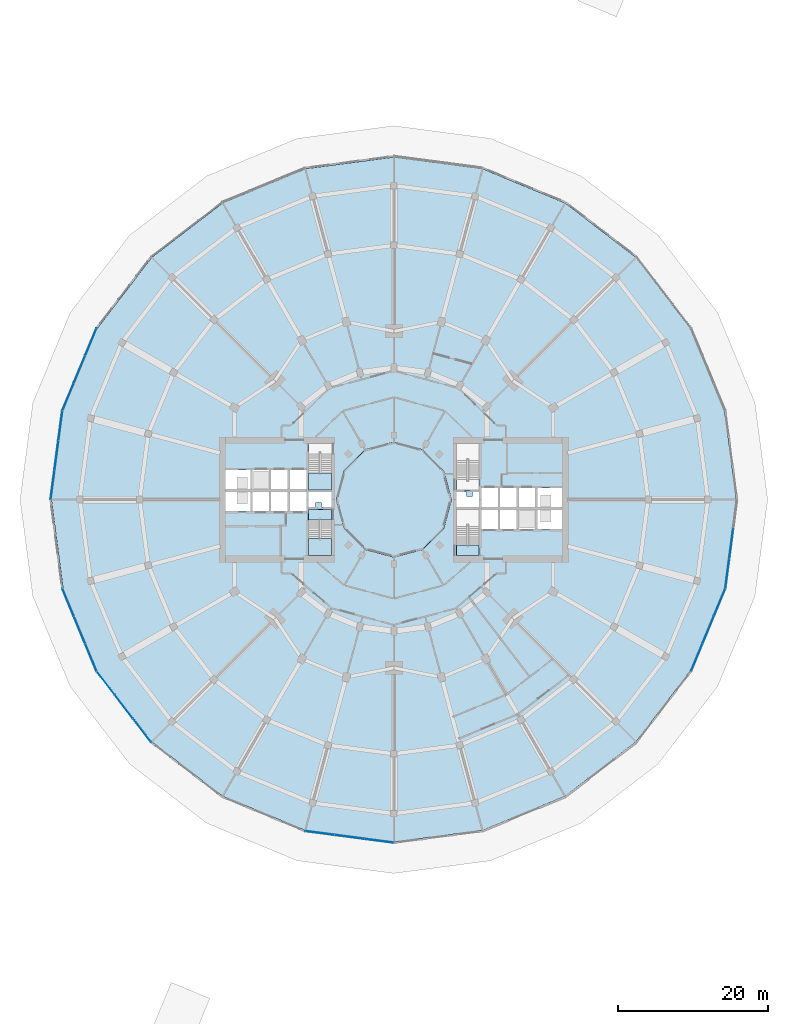
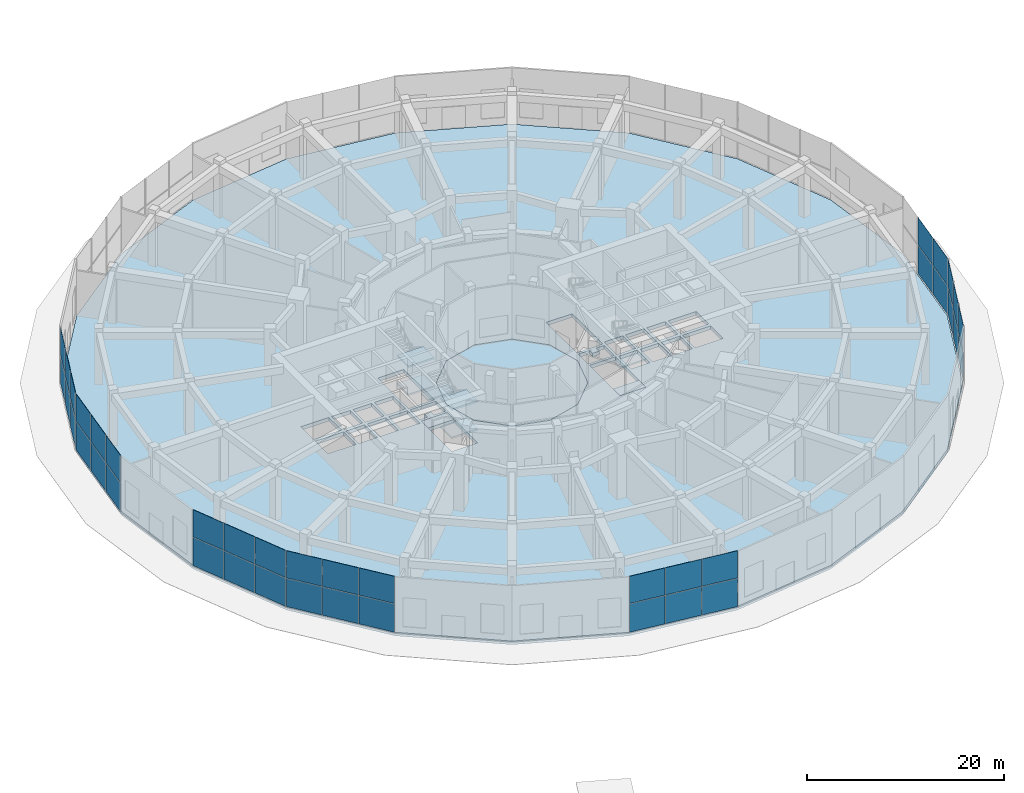
# One storey, part 20 of 31: 40 plates, 10 slabs, 10 elements without a shape of their own.
"""IFC4 building model written with IfcOpenShell, lengths in metres."""

from ifc_helpers import new_model, si_unit, direction, frame, origin, origin_2d, place, context, subcontext, project, spatial, polyline, rectangle, outline, extrude, material, layer, layer_set, type_object, element, aggregate, save


model = new_model("IFC4")

# Units and contexts
model_context = context("Model", 3, precision=1e-05, world=origin(), true_north=direction((0.0, 1.0)))
body_context = subcontext(model_context, "Body", "Model", "MODEL_VIEW")
ifc_project = project(units=[si_unit("LENGTHUNIT", "METRE"), si_unit("AREAUNIT", "SQUARE_METRE"), si_unit("VOLUMEUNIT", "CUBIC_METRE"), si_unit("PLANEANGLEUNIT", "RADIAN"), si_unit("MASSUNIT", "GRAM", prefix="KILO")], contexts=[model_context])

# Site, building, storey
site_placement = place(None, origin())
site = spatial("IfcSite", under=ifc_project, at=site_placement, CompositionType="ELEMENT")
building_placement = place(site_placement, origin())
building = spatial("IfcBuilding", under=site, at=building_placement, Name="Torre Brocal", CompositionType="ELEMENT")
storey_placement = place(building_placement, origin())
storey = spatial("IfcBuildingStorey", under=building, at=storey_placement, Name="L00", CompositionType="ELEMENT", Elevation=0.0)

# Curtain wall, plates
ifc_material_1 = material(Name="Aluminium and glass", Category="aluminium")
ifc_layer_1 = layer(ifc_material_1, 0.199951171875)
ifc_layer_set_1 = layer_set([ifc_layer_1], Name="Aluminium and glass")
curtain_wall_type = type_object("IfcCurtainWallType", Name="CW-3 CURTAIN WALL 7000 HIGH", PredefinedType="NOTDEFINED", material=ifc_layer_set_1)
curtain_wall_1_placement = place(storey_placement, origin())
curtain_wall_1 = element("IfcCurtainWall", 1, at=curtain_wall_1_placement, inside=storey, type_object=curtain_wall_type, Name="CW-3 RUN 11", PredefinedType="NOTDEFINED")
ifc_material_2 = material(Name="Glass, dark tinted laminated", Category="glass")
ifc_layer_2 = layer(ifc_material_2, 0.02392578125)
ifc_layer_set_2 = layer_set([ifc_layer_2], Name="Glass, dark tinted laminated")
plate_type = type_object("IfcPlateType", Name="CW-3 GLASS PANEL 24", PredefinedType="CURTAIN_PANEL", material=ifc_layer_set_2)
plate_1_placement = place(storey_placement, frame((39.481201171875, 96.093017578125, 0.06005859375), z_axis=(0.0, 0.0, 1.0), x_axis=(-0.382683432333, -0.923879532525, 0.0)))
plate_1 = element("IfcPlate", 2, at=plate_1_placement, type_object=plate_type, Name="CW3-1 panel 1.1", PredefinedType="CURTAIN_PANEL", context=body_context, shape_type="SweptSolid", body=[
    extrude(rectangle(XDim=3.9189453125, YDim=0.02392578125, at=origin_2d()), origin(), (0.0, 0.0, 1.0), 3.510009765625),
])
plate_2_placement = place(storey_placement, frame((39.481201171875, 96.093017578125, 3.6298828125), z_axis=(0.0, 0.0, 1.0), x_axis=(-0.382683432333, -0.923879532525, 0.0)))
plate_2 = element("IfcPlate", 3, at=plate_2_placement, type_object=plate_type, Name="CW3-1 panel 1.2", PredefinedType="CURTAIN_PANEL", context=body_context, shape_type="SweptSolid", body=[
    extrude(rectangle(XDim=3.9189453125, YDim=0.02392578125, at=origin_2d()), origin(), (0.0, 0.0, 1.0), 3.3701171875),
])
plate_3_placement = place(storey_placement, frame((37.95751953125, 92.41455078125, 0.06005859375), z_axis=(0.0, 0.0, 1.0), x_axis=(-0.382683432333, -0.923879532525, 0.0)))
plate_3 = element("IfcPlate", 4, at=plate_3_placement, type_object=plate_type, Name="CW3-1 panel 2.1", PredefinedType="CURTAIN_PANEL", context=body_context, shape_type="SweptSolid", body=[
    extrude(rectangle(XDim=3.944091796875, YDim=0.02392578125, at=origin_2d()), origin(), (0.0, 0.0, 1.0), 3.510009765625),
])
plate_4_placement = place(storey_placement, frame((37.95751953125, 92.41455078125, 3.6298828125), z_axis=(0.0, 0.0, 1.0), x_axis=(-0.382683432333, -0.923879532525, 0.0)))
plate_4 = element("IfcPlate", 5, at=plate_4_placement, type_object=plate_type, Name="CW3-1 panel 2.2", PredefinedType="CURTAIN_PANEL", context=body_context, shape_type="SweptSolid", body=[
    extrude(rectangle(XDim=3.944091796875, YDim=0.02392578125, at=origin_2d()), origin(), (0.0, 0.0, 1.0), 3.3701171875),
])
plate_5_placement = place(storey_placement, frame((36.433837890625, 88.736083984375, 0.06005859375), z_axis=(0.0, 0.0, 1.0), x_axis=(-0.382683432333, -0.923879532525, 0.0)))
plate_5 = element("IfcPlate", 6, at=plate_5_placement, type_object=plate_type, Name="CW3-1 panel 3.1", PredefinedType="CURTAIN_PANEL", context=body_context, shape_type="SweptSolid", body=[
    extrude(rectangle(XDim=3.9189453125, YDim=0.02392578125, at=origin_2d()), origin(), (0.0, 0.0, 1.0), 3.510009765625),
])
plate_6_placement = place(storey_placement, frame((36.433837890625, 88.736083984375, 3.6298828125), z_axis=(0.0, 0.0, 1.0), x_axis=(-0.382683432333, -0.923879532525, 0.0)))
plate_6 = element("IfcPlate", 7, at=plate_6_placement, type_object=plate_type, Name="CW3-1 panel 3.2", PredefinedType="CURTAIN_PANEL", context=body_context, shape_type="SweptSolid", body=[
    extrude(rectangle(XDim=3.9189453125, YDim=0.02392578125, at=origin_2d()), origin(), (0.0, 0.0, 1.0), 3.3701171875),
])
aggregate(curtain_wall_1, [plate_1, plate_2, plate_3, plate_4, plate_5, plate_6])

curtain_wall_2_placement = place(storey_placement, origin())
curtain_wall_2 = element("IfcCurtainWall", 8, at=curtain_wall_2_placement, inside=storey, type_object=curtain_wall_type, Name="CW-3 RUN 12", PredefinedType="NOTDEFINED")
plate_7_placement = place(storey_placement, frame((35.402587890625, 84.88720703125, 0.06005859375), z_axis=(0.0, 0.0, 1.0), x_axis=(-0.130526192237, -0.991444861372, 0.0)))
plate_7 = element("IfcPlate", 9, at=plate_7_placement, type_object=plate_type, Name="CW3-1 panel 1.1", PredefinedType="CURTAIN_PANEL", context=body_context, shape_type="SweptSolid", body=[
    extrude(rectangle(XDim=3.9189453125, YDim=0.02392578125, at=origin_2d()), origin(), (0.0, 0.0, 1.0), 3.510009765625),
])
plate_8_placement = place(storey_placement, frame((35.402587890625, 84.88720703125, 3.6298828125), z_axis=(0.0, 0.0, 1.0), x_axis=(-0.130526192237, -0.991444861372, 0.0)))
plate_8 = element("IfcPlate", 10, at=plate_8_placement, type_object=plate_type, Name="CW3-1 panel 1.2", PredefinedType="CURTAIN_PANEL", context=body_context, shape_type="SweptSolid", body=[
    extrude(rectangle(XDim=3.9189453125, YDim=0.02392578125, at=origin_2d()), origin(), (0.0, 0.0, 1.0), 3.3701171875),
])
plate_9_placement = place(storey_placement, frame((34.8828125, 80.939697265625, 0.06005859375), z_axis=(0.0, 0.0, 1.0), x_axis=(-0.130526192237, -0.991444861372, 0.0)))
plate_9 = element("IfcPlate", 11, at=plate_9_placement, type_object=plate_type, Name="CW3-1 panel 2.1", PredefinedType="CURTAIN_PANEL", context=body_context, shape_type="SweptSolid", body=[
    extrude(rectangle(XDim=3.944091796875, YDim=0.02392578125, at=origin_2d()), origin(), (0.0, 0.0, 1.0), 3.510009765625),
])
plate_10_placement = place(storey_placement, frame((34.8828125, 80.939697265625, 3.6298828125), z_axis=(0.0, 0.0, 1.0), x_axis=(-0.130526192237, -0.991444861372, 0.0)))
plate_10 = element("IfcPlate", 12, at=plate_10_placement, type_object=plate_type, Name="CW3-1 panel 2.2", PredefinedType="CURTAIN_PANEL", context=body_context, shape_type="SweptSolid", body=[
    extrude(rectangle(XDim=3.944091796875, YDim=0.02392578125, at=origin_2d()), origin(), (0.0, 0.0, 1.0), 3.3701171875),
])
plate_11_placement = place(storey_placement, frame((34.363037109375, 76.992431640625, 0.06005859375), z_axis=(0.0, 0.0, 1.0), x_axis=(-0.130526192237, -0.991444861372, 0.0)))
plate_11 = element("IfcPlate", 13, at=plate_11_placement, type_object=plate_type, Name="CW3-1 panel 3.1", PredefinedType="CURTAIN_PANEL", context=body_context, shape_type="SweptSolid", body=[
    extrude(rectangle(XDim=3.9189453125, YDim=0.02392578125, at=origin_2d()), origin(), (0.0, 0.0, 1.0), 3.510009765625),
])
plate_12_placement = place(storey_placement, frame((34.363037109375, 76.992431640625, 3.6298828125), z_axis=(0.0, 0.0, 1.0), x_axis=(-0.130526192237, -0.991444861372, 0.0)))
plate_12 = element("IfcPlate", 14, at=plate_12_placement, type_object=plate_type, Name="CW3-1 panel 3.2", PredefinedType="CURTAIN_PANEL", context=body_context, shape_type="SweptSolid", body=[
    extrude(rectangle(XDim=3.9189453125, YDim=0.02392578125, at=origin_2d()), origin(), (0.0, 0.0, 1.0), 3.3701171875),
])
aggregate(curtain_wall_2, [plate_7, plate_8, plate_9, plate_10, plate_11, plate_12])

curtain_wall_3_placement = place(storey_placement, origin())
curtain_wall_3 = element("IfcCurtainWall", 15, at=curtain_wall_3_placement, inside=storey, type_object=curtain_wall_type, Name="CW-3 RUN 14", PredefinedType="NOTDEFINED")
plate_13_placement = place(storey_placement, frame((36.433837890625, 61.263916015625, 0.06005859375), z_axis=(0.0, 0.0, 1.0), x_axis=(0.382683432333, -0.923879532525, 0.0)))
plate_13 = element("IfcPlate", 16, at=plate_13_placement, type_object=plate_type, Name="CW3-1 panel 1.1", PredefinedType="CURTAIN_PANEL", context=body_context, shape_type="SweptSolid", body=[
    extrude(rectangle(XDim=3.9189453125, YDim=0.02392578125, at=origin_2d()), origin(), (0.0, 0.0, 1.0), 3.510009765625),
])
plate_14_placement = place(storey_placement, frame((36.433837890625, 61.263916015625, 3.6298828125), z_axis=(0.0, 0.0, 1.0), x_axis=(0.382683432333, -0.923879532525, 0.0)))
plate_14 = element("IfcPlate", 17, at=plate_14_placement, type_object=plate_type, Name="CW3-1 panel 1.2", PredefinedType="CURTAIN_PANEL", context=body_context, shape_type="SweptSolid", body=[
    extrude(rectangle(XDim=3.9189453125, YDim=0.02392578125, at=origin_2d()), origin(), (0.0, 0.0, 1.0), 3.3701171875),
])
plate_15_placement = place(storey_placement, frame((37.95751953125, 57.58544921875, 0.06005859375), z_axis=(0.0, 0.0, 1.0), x_axis=(0.382683432333, -0.923879532525, 0.0)))
plate_15 = element("IfcPlate", 18, at=plate_15_placement, type_object=plate_type, Name="CW3-1 panel 2.1", PredefinedType="CURTAIN_PANEL", context=body_context, shape_type="SweptSolid", body=[
    extrude(rectangle(XDim=3.944091796875, YDim=0.02392578125, at=origin_2d()), origin(), (0.0, 0.0, 1.0), 3.510009765625),
])
plate_16_placement = place(storey_placement, frame((37.95751953125, 57.58544921875, 3.6298828125), z_axis=(0.0, 0.0, 1.0), x_axis=(0.382683432333, -0.923879532525, 0.0)))
plate_16 = element("IfcPlate", 19, at=plate_16_placement, type_object=plate_type, Name="CW3-1 panel 2.2", PredefinedType="CURTAIN_PANEL", context=body_context, shape_type="SweptSolid", body=[
    extrude(rectangle(XDim=3.944091796875, YDim=0.02392578125, at=origin_2d()), origin(), (0.0, 0.0, 1.0), 3.3701171875),
])
plate_17_placement = place(storey_placement, frame((39.481201171875, 53.906982421875, 0.06005859375), z_axis=(0.0, 0.0, 1.0), x_axis=(0.382683432333, -0.923879532525, 0.0)))
plate_17 = element("IfcPlate", 20, at=plate_17_placement, type_object=plate_type, Name="CW3-1 panel 3.1", PredefinedType="CURTAIN_PANEL", context=body_context, shape_type="SweptSolid", body=[
    extrude(rectangle(XDim=3.9189453125, YDim=0.02392578125, at=origin_2d()), origin(), (0.0, 0.0, 1.0), 3.510009765625),
])
plate_18_placement = place(storey_placement, frame((39.481201171875, 53.906982421875, 3.6298828125), z_axis=(0.0, 0.0, 1.0), x_axis=(0.382683432333, -0.923879532525, 0.0)))
plate_18 = element("IfcPlate", 21, at=plate_18_placement, type_object=plate_type, Name="CW3-1 panel 3.2", PredefinedType="CURTAIN_PANEL", context=body_context, shape_type="SweptSolid", body=[
    extrude(rectangle(XDim=3.9189453125, YDim=0.02392578125, at=origin_2d()), origin(), (0.0, 0.0, 1.0), 3.3701171875),
])
aggregate(curtain_wall_3, [plate_13, plate_14, plate_15, plate_16, plate_17, plate_18])

curtain_wall_4_placement = place(storey_placement, origin())
curtain_wall_4 = element("IfcCurtainWall", 22, at=curtain_wall_4_placement, inside=storey, type_object=curtain_wall_type, Name="CW-3 RUN 15", PredefinedType="NOTDEFINED")
plate_19_placement = place(storey_placement, frame((41.473388671875, 50.456298828125, 0.06005859375), z_axis=(0.0, 0.0, 1.0), x_axis=(0.608761429009, -0.793353340291, 0.0)))
plate_19 = element("IfcPlate", 23, at=plate_19_placement, type_object=plate_type, Name="CW3-1 panel 1.1", PredefinedType="CURTAIN_PANEL", context=body_context, shape_type="SweptSolid", body=[
    extrude(rectangle(XDim=3.9189453125, YDim=0.02392578125, at=origin_2d()), origin(), (0.0, 0.0, 1.0), 3.510009765625),
])
plate_20_placement = place(storey_placement, frame((41.473388671875, 50.456298828125, 3.6298828125), z_axis=(0.0, 0.0, 1.0), x_axis=(0.608761429009, -0.793353340291, 0.0)))
plate_20 = element("IfcPlate", 24, at=plate_20_placement, type_object=plate_type, Name="CW3-1 panel 1.2", PredefinedType="CURTAIN_PANEL", context=body_context, shape_type="SweptSolid", body=[
    extrude(rectangle(XDim=3.9189453125, YDim=0.02392578125, at=origin_2d()), origin(), (0.0, 0.0, 1.0), 3.3701171875),
])
plate_21_placement = place(storey_placement, frame((43.897216796875, 47.29736328125, 0.06005859375), z_axis=(0.0, 0.0, 1.0), x_axis=(0.608761429009, -0.793353340291, 0.0)))
plate_21 = element("IfcPlate", 25, at=plate_21_placement, type_object=plate_type, Name="CW3-1 panel 2.1", PredefinedType="CURTAIN_PANEL", context=body_context, shape_type="SweptSolid", body=[
    extrude(rectangle(XDim=3.944091796875, YDim=0.02392578125, at=origin_2d()), origin(), (0.0, 0.0, 1.0), 3.510009765625),
])
plate_22_placement = place(storey_placement, frame((43.897216796875, 47.29736328125, 3.6298828125), z_axis=(0.0, 0.0, 1.0), x_axis=(0.608761429009, -0.793353340291, 0.0)))
plate_22 = element("IfcPlate", 26, at=plate_22_placement, type_object=plate_type, Name="CW3-1 panel 2.2", PredefinedType="CURTAIN_PANEL", context=body_context, shape_type="SweptSolid", body=[
    extrude(rectangle(XDim=3.944091796875, YDim=0.02392578125, at=origin_2d()), origin(), (0.0, 0.0, 1.0), 3.3701171875),
])
plate_23_placement = place(storey_placement, frame((46.321044921875, 44.138671875, 0.06005859375), z_axis=(0.0, 0.0, 1.0), x_axis=(0.608761429009, -0.793353340291, 0.0)))
plate_23 = element("IfcPlate", 27, at=plate_23_placement, type_object=plate_type, Name="CW3-1 panel 3.1", PredefinedType="CURTAIN_PANEL", context=body_context, shape_type="SweptSolid", body=[
    extrude(rectangle(XDim=3.9189453125, YDim=0.02392578125, at=origin_2d()), origin(), (0.0, 0.0, 1.0), 3.510009765625),
])
plate_24_placement = place(storey_placement, frame((46.321044921875, 44.138671875, 3.6298828125), z_axis=(0.0, 0.0, 1.0), x_axis=(0.608761429009, -0.793353340291, 0.0)))
plate_24 = element("IfcPlate", 28, at=plate_24_placement, type_object=plate_type, Name="CW3-1 panel 3.2", PredefinedType="CURTAIN_PANEL", context=body_context, shape_type="SweptSolid", body=[
    extrude(rectangle(XDim=3.9189453125, YDim=0.02392578125, at=origin_2d()), origin(), (0.0, 0.0, 1.0), 3.3701171875),
])
aggregate(curtain_wall_4, [plate_19, plate_20, plate_21, plate_22, plate_23, plate_24])

curtain_wall_5_placement = place(storey_placement, origin())
curtain_wall_5 = element("IfcCurtainWall", 29, at=curtain_wall_5_placement, inside=storey, type_object=curtain_wall_type, Name="CW-3 RUN 18", PredefinedType="NOTDEFINED")
plate_25_placement = place(storey_placement, frame((70.11279296875, 30.402587890625, 0.06005859375), z_axis=(0.0, 0.0, 1.0), x_axis=(0.991444861372, -0.130526192237, 0.0)))
plate_25 = element("IfcPlate", 30, at=plate_25_placement, type_object=plate_type, Name="CW3-1 panel 1.1", PredefinedType="CURTAIN_PANEL", context=body_context, shape_type="SweptSolid", body=[
    extrude(rectangle(XDim=3.9189453125, YDim=0.02392578125, at=origin_2d()), origin(), (0.0, 0.0, 1.0), 3.510009765625),
])
plate_26_placement = place(storey_placement, frame((70.11279296875, 30.402587890625, 3.6298828125), z_axis=(0.0, 0.0, 1.0), x_axis=(0.991444861372, -0.130526192237, 0.0)))
plate_26 = element("IfcPlate", 31, at=plate_26_placement, type_object=plate_type, Name="CW3-1 panel 1.2", PredefinedType="CURTAIN_PANEL", context=body_context, shape_type="SweptSolid", body=[
    extrude(rectangle(XDim=3.9189453125, YDim=0.02392578125, at=origin_2d()), origin(), (0.0, 0.0, 1.0), 3.3701171875),
])
plate_27_placement = place(storey_placement, frame((74.060302734375, 29.8828125, 0.06005859375), z_axis=(0.0, 0.0, 1.0), x_axis=(0.991444861372, -0.130526192237, 0.0)))
plate_27 = element("IfcPlate", 32, at=plate_27_placement, type_object=plate_type, Name="CW3-1 panel 2.1", PredefinedType="CURTAIN_PANEL", context=body_context, shape_type="SweptSolid", body=[
    extrude(rectangle(XDim=3.944091796875, YDim=0.02392578125, at=origin_2d()), origin(), (0.0, 0.0, 1.0), 3.510009765625),
])
plate_28_placement = place(storey_placement, frame((74.060302734375, 29.8828125, 3.6298828125), z_axis=(0.0, 0.0, 1.0), x_axis=(0.991444861372, -0.130526192237, 0.0)))
plate_28 = element("IfcPlate", 33, at=plate_28_placement, type_object=plate_type, Name="CW3-1 panel 2.2", PredefinedType="CURTAIN_PANEL", context=body_context, shape_type="SweptSolid", body=[
    extrude(rectangle(XDim=3.944091796875, YDim=0.02392578125, at=origin_2d()), origin(), (0.0, 0.0, 1.0), 3.3701171875),
])
plate_29_placement = place(storey_placement, frame((78.007568359375, 29.363037109375, 0.06005859375), z_axis=(0.0, 0.0, 1.0), x_axis=(0.991444861372, -0.130526192237, 0.0)))
plate_29 = element("IfcPlate", 34, at=plate_29_placement, type_object=plate_type, Name="CW3-1 panel 3.1", PredefinedType="CURTAIN_PANEL", context=body_context, shape_type="SweptSolid", body=[
    extrude(rectangle(XDim=3.9189453125, YDim=0.02392578125, at=origin_2d()), origin(), (0.0, 0.0, 1.0), 3.510009765625),
])
plate_30_placement = place(storey_placement, frame((78.007568359375, 29.363037109375, 3.6298828125), z_axis=(0.0, 0.0, 1.0), x_axis=(0.991444861372, -0.130526192237, 0.0)))
plate_30 = element("IfcPlate", 35, at=plate_30_placement, type_object=plate_type, Name="CW3-1 panel 3.2", PredefinedType="CURTAIN_PANEL", context=body_context, shape_type="SweptSolid", body=[
    extrude(rectangle(XDim=3.9189453125, YDim=0.02392578125, at=origin_2d()), origin(), (0.0, 0.0, 1.0), 3.3701171875),
])
aggregate(curtain_wall_5, [plate_25, plate_26, plate_27, plate_28, plate_29, plate_30])

curtain_wall_6_placement = place(storey_placement, origin())
curtain_wall_6 = element("IfcCurtainWall", 36, at=curtain_wall_6_placement, inside=storey, type_object=curtain_wall_type, Name="CW-3 RUN 23", PredefinedType="NOTDEFINED")
plate_31_placement = place(storey_placement, frame((120.518798828125, 53.906982421875, 0.06005859375), z_axis=(0.0, 0.0, 1.0), x_axis=(0.382683432333, 0.923879532525, 0.0)))
plate_31 = element("IfcPlate", 37, at=plate_31_placement, type_object=plate_type, Name="CW3-1 panel 1.1", PredefinedType="CURTAIN_PANEL", context=body_context, shape_type="SweptSolid", body=[
    extrude(rectangle(XDim=3.9189453125, YDim=0.02392578125, at=origin_2d()), origin(), (0.0, 0.0, 1.0), 3.510009765625),
])
plate_32_placement = place(storey_placement, frame((120.518798828125, 53.906982421875, 3.6298828125), z_axis=(0.0, 0.0, 1.0), x_axis=(0.382683432333, 0.923879532525, 0.0)))
plate_32 = element("IfcPlate", 38, at=plate_32_placement, type_object=plate_type, Name="CW3-1 panel 1.2", PredefinedType="CURTAIN_PANEL", context=body_context, shape_type="SweptSolid", body=[
    extrude(rectangle(XDim=3.9189453125, YDim=0.02392578125, at=origin_2d()), origin(), (0.0, 0.0, 1.0), 3.3701171875),
])
plate_33_placement = place(storey_placement, frame((122.04248046875, 57.58544921875, 0.06005859375), z_axis=(0.0, 0.0, 1.0), x_axis=(0.382683432333, 0.923879532525, 0.0)))
plate_33 = element("IfcPlate", 39, at=plate_33_placement, type_object=plate_type, Name="CW3-1 panel 2.1", PredefinedType="CURTAIN_PANEL", context=body_context, shape_type="SweptSolid", body=[
    extrude(rectangle(XDim=3.944091796875, YDim=0.02392578125, at=origin_2d()), origin(), (0.0, 0.0, 1.0), 3.510009765625),
])
plate_34_placement = place(storey_placement, frame((122.04248046875, 57.58544921875, 3.6298828125), z_axis=(0.0, 0.0, 1.0), x_axis=(0.382683432333, 0.923879532525, 0.0)))
plate_34 = element("IfcPlate", 40, at=plate_34_placement, type_object=plate_type, Name="CW3-1 panel 2.2", PredefinedType="CURTAIN_PANEL", context=body_context, shape_type="SweptSolid", body=[
    extrude(rectangle(XDim=3.944091796875, YDim=0.02392578125, at=origin_2d()), origin(), (0.0, 0.0, 1.0), 3.3701171875),
])
plate_35_placement = place(storey_placement, frame((123.566162109375, 61.263916015625, 0.06005859375), z_axis=(0.0, 0.0, 1.0), x_axis=(0.382683432333, 0.923879532525, 0.0)))
plate_35 = element("IfcPlate", 41, at=plate_35_placement, type_object=plate_type, Name="CW3-1 panel 3.1", PredefinedType="CURTAIN_PANEL", context=body_context, shape_type="SweptSolid", body=[
    extrude(rectangle(XDim=3.9189453125, YDim=0.02392578125, at=origin_2d()), origin(), (0.0, 0.0, 1.0), 3.510009765625),
])
plate_36_placement = place(storey_placement, frame((123.566162109375, 61.263916015625, 3.6298828125), z_axis=(0.0, 0.0, 1.0), x_axis=(0.382683432333, 0.923879532525, 0.0)))
plate_36 = element("IfcPlate", 42, at=plate_36_placement, type_object=plate_type, Name="CW3-1 panel 3.2", PredefinedType="CURTAIN_PANEL", context=body_context, shape_type="SweptSolid", body=[
    extrude(rectangle(XDim=3.9189453125, YDim=0.02392578125, at=origin_2d()), origin(), (0.0, 0.0, 1.0), 3.3701171875),
])
aggregate(curtain_wall_6, [plate_31, plate_32, plate_33, plate_34, plate_35, plate_36])

curtain_wall_7_placement = place(storey_placement, origin())
curtain_wall_7 = element("IfcCurtainWall", 43, at=curtain_wall_7_placement, inside=storey, type_object=curtain_wall_type, Name="CW-3 RUN 24", PredefinedType="NOTDEFINED")
plate_37_placement = place(storey_placement, frame((124.597412109375, 65.11279296875, 0.06005859375), z_axis=(0.0, 0.0, 1.0), x_axis=(0.130526192237, 0.991444861372, 0.0)))
plate_37 = element("IfcPlate", 44, at=plate_37_placement, type_object=plate_type, Name="CW3-1 panel 1.1", PredefinedType="CURTAIN_PANEL", context=body_context, shape_type="SweptSolid", body=[
    extrude(rectangle(XDim=3.9189453125, YDim=0.02392578125, at=origin_2d()), origin(), (0.0, 0.0, 1.0), 3.510009765625),
])
plate_38_placement = place(storey_placement, frame((124.597412109375, 65.11279296875, 3.6298828125), z_axis=(0.0, 0.0, 1.0), x_axis=(0.130526192237, 0.991444861372, 0.0)))
plate_38 = element("IfcPlate", 45, at=plate_38_placement, type_object=plate_type, Name="CW3-1 panel 1.2", PredefinedType="CURTAIN_PANEL", context=body_context, shape_type="SweptSolid", body=[
    extrude(rectangle(XDim=3.9189453125, YDim=0.02392578125, at=origin_2d()), origin(), (0.0, 0.0, 1.0), 3.3701171875),
])
plate_39_placement = place(storey_placement, frame((125.1171875, 69.060302734375, 0.06005859375), z_axis=(0.0, 0.0, 1.0), x_axis=(0.130526192237, 0.991444861372, 0.0)))
plate_39 = element("IfcPlate", 46, at=plate_39_placement, type_object=plate_type, Name="CW3-1 panel 2.1", PredefinedType="CURTAIN_PANEL", context=body_context, shape_type="SweptSolid", body=[
    extrude(rectangle(XDim=3.944091796875, YDim=0.02392578125, at=origin_2d()), origin(), (0.0, 0.0, 1.0), 3.510009765625),
])
plate_40_placement = place(storey_placement, frame((125.1171875, 69.060302734375, 3.6298828125), z_axis=(0.0, 0.0, 1.0), x_axis=(0.130526192237, 0.991444861372, 0.0)))
plate_40 = element("IfcPlate", 47, at=plate_40_placement, type_object=plate_type, Name="CW3-1 panel 2.2", PredefinedType="CURTAIN_PANEL", context=body_context, shape_type="SweptSolid", body=[
    extrude(rectangle(XDim=3.944091796875, YDim=0.02392578125, at=origin_2d()), origin(), (0.0, 0.0, 1.0), 3.3701171875),
])
aggregate(curtain_wall_7, [plate_37, plate_38, plate_39, plate_40])

# Stair, slab
ifc_material_3 = material(Name="Concrete C50", Category="concrete")
stair_type = type_object("IfcStairType", Name="EXIT STAIR", PredefinedType="HALF_TURN_STAIR", material=ifc_material_3)
stair_1_placement = place(storey_placement, origin())
stair_1 = element("IfcStair", 48, at=stair_1_placement, inside=storey, type_object=stair_type, Name="EXIT STAIR ST2", PredefinedType="HALF_TURN_STAIR")
ifc_material_4 = material(Name="Concrete C50", Category="concrete")
ifc_layer_3 = layer(ifc_material_4, 0.449951171875)
ifc_layer_set_3 = layer_set([ifc_layer_3], Name="Concrete C50")
slab_type_1 = type_object("IfcSlabType", Name="FLOOR LANDING 450", PredefinedType="LANDING", material=ifc_layer_set_3)
slab_1_placement = place(storey_placement, frame((0.0, 0.0, -0.449951171875)))
slab_1 = element("IfcSlab", 49, at=slab_1_placement, type_object=slab_type_1, Name="ST2 landing 1", PredefinedType="LANDING", context=body_context, shape_type="SweptSolid", body=[
    extrude(outline(polyline([(88.35009765625, 67.5), (91.39990234375, 67.5), (91.39990234375, 68.89990234375), (88.35009765625, 68.89990234375), (88.35009765625, 67.5)])), origin(), (0.0, 0.0, 1.0), 0.449951171875),
])

stair_2_placement = place(storey_placement, origin())
stair_2 = element("IfcStair", 50, at=stair_2_placement, inside=storey, type_object=stair_type, Name="EXIT STAIR ST3", PredefinedType="HALF_TURN_STAIR")
slab_2_placement = place(storey_placement, frame((0.0, 0.0, -0.449951171875)))
slab_2 = element("IfcSlab", 51, at=slab_2_placement, type_object=slab_type_1, Name="ST3 landing 1", PredefinedType="LANDING", context=body_context, shape_type="SweptSolid", body=[
    extrude(outline(polyline([(71.64990234375, 73.699951171875), (68.60009765625, 73.699951171875), (68.60009765625, 72.300048828125), (71.64990234375, 72.300048828125), (71.64990234375, 73.699951171875)])), origin(), (0.0, 0.0, 1.0), 0.449951171875),
])

# Slab
ifc_material_5 = material(Name="Concrete C45", Category="concrete")
ifc_layer_4 = layer(ifc_material_5, 0.300048828125)
ifc_layer_set_4 = layer_set([ifc_layer_4], Name="Concrete C45")
slab_type_2 = type_object("IfcSlabType", Name="GARDEN COURT SLAB 300 C45", PredefinedType="ROOF", material=ifc_layer_set_4)
slab_3_placement = place(storey_placement, frame((0.0, 0.0, -0.300048828125)))
element("IfcSlab", 52, at=slab_3_placement, inside=storey, type_object=slab_type_2, Name="Slab ST-02", PredefinedType="ROOF", context=body_context, shape_type="SweptSolid", body=[
    extrude(outline(polyline([(87.70703125, 75.0), (86.674560546875, 71.146484375), (83.853515625, 68.325439453125), (80.0, 67.29296875), (76.146484375, 68.325439453125), (73.325439453125, 71.146484375), (72.29296875, 75.0), (73.325439453125, 78.853515625), (76.146484375, 81.674560546875), (80.0, 82.70703125), (83.853515625, 81.674560546875), (86.674560546875, 78.853515625), (87.70703125, 75.0)])), origin(), (0.0, 0.0, 1.0), 0.300048828125),
])

ifc_material_6 = material(Name="Concrete C50", Category="concrete")
ifc_layer_5 = layer(ifc_material_6, 0.199951171875)
ifc_layer_set_5 = layer_set([ifc_layer_5], Name="Concrete C50")
slab_type_3 = type_object("IfcSlabType", Name="MID LANDING +1750", PredefinedType="LANDING", material=ifc_layer_set_5)
slab_4_placement = place(storey_placement, frame((0.0, 0.0, 1.550048828125)))
slab_4 = element("IfcSlab", 53, at=slab_4_placement, type_object=slab_type_3, Name="ST3 landing 2", PredefinedType="LANDING", context=body_context, shape_type="SweptSolid", body=[
    extrude(outline(polyline([(71.64990234375, 69.780029296875), (68.60009765625, 69.780029296875), (68.60009765625, 67.5), (71.64990234375, 67.5), (71.64990234375, 69.780029296875)])), origin(), (0.0, 0.0, 1.0), 0.199951171875),
])

# Stair, slab
stair_3_placement = place(storey_placement, origin())
stair_3 = element("IfcStair", 54, at=stair_3_placement, inside=storey, type_object=stair_type, Name="EXIT STAIR ST4", PredefinedType="HALF_TURN_STAIR")
slab_5_placement = place(storey_placement, frame((0.0, 0.0, 1.550048828125)))
slab_5 = element("IfcSlab", 55, at=slab_5_placement, type_object=slab_type_3, Name="ST4 landing 2", PredefinedType="LANDING", context=body_context, shape_type="SweptSolid", body=[
    extrude(outline(polyline([(71.64990234375, 78.580078125), (68.60009765625, 78.580078125), (68.60009765625, 76.300048828125), (71.64990234375, 76.300048828125), (71.64990234375, 78.580078125)])), origin(), (0.0, 0.0, 1.0), 0.199951171875),
])

# Slab
ifc_material_7 = material(Name="Concrete C50", Category="concrete")
ifc_layer_6 = layer(ifc_material_7, 0.199951171875)
ifc_layer_set_6 = layer_set([ifc_layer_6], Name="Concrete C50")
slab_type_4 = type_object("IfcSlabType", Name="MID LANDING +3500", PredefinedType="LANDING", material=ifc_layer_set_6)
slab_6_placement = place(storey_placement, frame((0.0, 0.0, 3.300048828125)))
slab_6 = element("IfcSlab", 56, at=slab_6_placement, type_object=slab_type_4, Name="ST2 landing 3", PredefinedType="LANDING", context=body_context, shape_type="SweptSolid", body=[
    extrude(outline(polyline([(88.35009765625, 67.5), (91.39990234375, 67.5), (91.39990234375, 68.89990234375), (88.35009765625, 68.89990234375), (88.35009765625, 67.5)])), origin(), (0.0, 0.0, 1.0), 0.199951171875),
])

aggregate(stair_1, [slab_1, slab_6])

slab_7_placement = place(storey_placement, frame((0.0, 0.0, 3.300048828125)))
slab_7 = element("IfcSlab", 57, at=slab_7_placement, type_object=slab_type_4, Name="ST3 landing 3", PredefinedType="LANDING", context=body_context, shape_type="SweptSolid", body=[
    extrude(outline(polyline([(71.64990234375, 73.699951171875), (68.60009765625, 73.699951171875), (68.60009765625, 72.300048828125), (71.64990234375, 72.300048828125), (71.64990234375, 73.699951171875)])), origin(), (0.0, 0.0, 1.0), 0.199951171875),
])

ifc_material_8 = material(Name="Concrete C50", Category="concrete")
ifc_layer_7 = layer(ifc_material_8, 0.199951171875)
ifc_layer_set_7 = layer_set([ifc_layer_7], Name="Concrete C50")
slab_type_5 = type_object("IfcSlabType", Name="MID LANDING +5250", PredefinedType="LANDING", material=ifc_layer_set_7)
slab_8_placement = place(storey_placement, frame((0.0, 0.0, 5.050048828125)))
slab_8 = element("IfcSlab", 58, at=slab_8_placement, type_object=slab_type_5, Name="ST3 landing 4", PredefinedType="LANDING", context=body_context, shape_type="SweptSolid", body=[
    extrude(outline(polyline([(71.64990234375, 69.780029296875), (68.60009765625, 69.780029296875), (68.60009765625, 67.5), (71.64990234375, 67.5), (71.64990234375, 69.780029296875)])), origin(), (0.0, 0.0, 1.0), 0.199951171875),
])

aggregate(stair_2, [slab_2, slab_4, slab_7, slab_8])

slab_9_placement = place(storey_placement, frame((0.0, 0.0, 5.050048828125)))
slab_9 = element("IfcSlab", 59, at=slab_9_placement, type_object=slab_type_5, Name="ST4 landing 4", PredefinedType="LANDING", context=body_context, shape_type="SweptSolid", body=[
    extrude(outline(polyline([(71.64990234375, 78.580078125), (68.60009765625, 78.580078125), (68.60009765625, 76.300048828125), (71.64990234375, 76.300048828125), (71.64990234375, 78.580078125)])), origin(), (0.0, 0.0, 1.0), 0.199951171875),
])

aggregate(stair_3, [slab_5, slab_9])

ifc_material_9 = material(Name="Concrete C45", Category="concrete")
ifc_layer_8 = layer(ifc_material_9, 0.449951171875)
ifc_layer_set_8 = layer_set([ifc_layer_8], Name="Concrete C45")
slab_type_6 = type_object("IfcSlabType", Name="PT PODIUM SLAB 450 C45", PredefinedType="FLOOR", material=ifc_layer_set_8)
slab_10_placement = place(storey_placement, frame((0.0, 0.0, -0.449951171875)))
element("IfcSlab", 60, at=slab_10_placement, inside=storey, type_object=slab_type_6, Name="Slab ST-01", PredefinedType="FLOOR", context=body_context, shape_type="SweptSolid", body=[
    extrude(outline(polyline([(112.38427734375, 42.61572265625), (102.899169921875, 35.337646484375), (91.853515625, 30.76220703125), (80.0, 29.20166015625), (68.146484375, 30.76220703125), (57.100830078125, 35.337646484375), (47.61572265625, 42.61572265625), (40.337646484375, 52.100830078125), (35.76220703125, 63.146484375), (34.20166015625, 75.0), (35.76220703125, 86.853515625), (40.337646484375, 97.899169921875), (47.61572265625, 107.38427734375), (57.100830078125, 114.662353515625), (68.146484375, 119.23779296875), (80.0, 120.79833984375), (91.853515625, 119.23779296875), (102.899169921875, 114.662353515625), (112.38427734375, 107.38427734375), (119.662353515625, 97.899169921875), (124.23779296875, 86.853515625), (125.79833984375, 75.0), (124.23779296875, 63.146484375), (119.662353515625, 52.100830078125), (112.38427734375, 42.61572265625)]), holes=[polyline([(102.5, 74.0), (102.5, 76.550048828125), (99.199951171875, 76.550048828125), (99.199951171875, 74.0), (102.5, 74.0)]), polyline([(102.5, 71.050048828125), (102.5, 73.60009765625), (99.199951171875, 73.60009765625), (99.199951171875, 71.050048828125), (102.5, 71.050048828125)]), polyline([(98.89990234375, 76.550048828125), (96.699951171875, 76.550048828125), (96.699951171875, 74.0), (98.89990234375, 74.0), (98.89990234375, 76.550048828125)]), polyline([(98.89990234375, 71.050048828125), (98.89990234375, 73.60009765625), (96.699951171875, 73.60009765625), (96.699951171875, 71.050048828125), (98.89990234375, 71.050048828125)]), polyline([(96.39990234375, 73.60009765625), (94.199951171875, 73.60009765625), (94.199951171875, 71.050048828125), (96.39990234375, 71.050048828125), (96.39990234375, 73.60009765625)]), polyline([(96.39990234375, 74.0), (96.39990234375, 76.550048828125), (94.199951171875, 76.550048828125), (94.199951171875, 74.0), (96.39990234375, 74.0)]), polyline([(93.89990234375, 73.60009765625), (91.699951171875, 73.60009765625), (91.699951171875, 71.050048828125), (93.89990234375, 71.050048828125), (93.89990234375, 73.60009765625)]), polyline([(93.89990234375, 74.0), (93.89990234375, 76.550048828125), (91.699951171875, 76.550048828125), (91.699951171875, 74.0), (93.89990234375, 74.0)]), polyline([(91.39990234375, 76.300048828125), (91.39990234375, 82.5), (88.35009765625, 82.5), (88.35009765625, 76.300048828125), (91.39990234375, 76.300048828125)]), polyline([(91.39990234375, 73.699951171875), (88.35009765625, 73.699951171875), (88.35009765625, 67.5), (91.39990234375, 67.5), (91.39990234375, 73.699951171875)]), polyline([(89.699951171875, 76.0), (88.35009765625, 76.0), (88.35009765625, 74.0), (91.39990234375, 74.0), (91.39990234375, 76.0), (90.5, 76.0), (90.5, 75.39990234375), (89.699951171875, 75.39990234375), (89.699951171875, 76.0)]), polyline([(80.0, 82.70703125), (76.146484375, 81.674560546875), (73.325439453125, 78.853515625), (72.29296875, 75.0), (73.325439453125, 71.146484375), (76.146484375, 68.325439453125), (80.0, 67.29296875), (83.853515625, 68.325439453125), (86.674560546875, 71.146484375), (87.70703125, 75.0), (86.674560546875, 78.853515625), (83.853515625, 81.674560546875), (80.0, 82.70703125)]), polyline([(68.60009765625, 82.5), (68.60009765625, 76.300048828125), (71.64990234375, 76.300048828125), (71.64990234375, 82.5), (68.60009765625, 82.5)]), polyline([(70.300048828125, 74.0), (71.64990234375, 74.0), (71.64990234375, 76.0), (68.60009765625, 76.0), (68.60009765625, 74.0), (69.5, 74.0), (69.5, 74.60009765625), (70.300048828125, 74.60009765625), (70.300048828125, 74.0)]), polyline([(68.60009765625, 67.5), (71.64990234375, 67.5), (71.64990234375, 73.699951171875), (68.60009765625, 73.699951171875), (68.60009765625, 67.5)]), polyline([(66.10009765625, 78.949951171875), (66.10009765625, 76.39990234375), (68.300048828125, 76.39990234375), (68.300048828125, 78.949951171875), (66.10009765625, 78.949951171875)]), polyline([(66.10009765625, 76.0), (66.10009765625, 73.449951171875), (68.300048828125, 73.449951171875), (68.300048828125, 76.0), (66.10009765625, 76.0)]), polyline([(63.60009765625, 76.0), (63.60009765625, 73.449951171875), (65.800048828125, 73.449951171875), (65.800048828125, 76.0), (63.60009765625, 76.0)]), polyline([(63.60009765625, 76.39990234375), (65.800048828125, 76.39990234375), (65.800048828125, 78.949951171875), (63.60009765625, 78.949951171875), (63.60009765625, 76.39990234375)]), polyline([(61.10009765625, 78.949951171875), (61.10009765625, 76.39990234375), (63.300048828125, 76.39990234375), (63.300048828125, 78.949951171875), (61.10009765625, 78.949951171875)]), polyline([(61.10009765625, 73.449951171875), (63.300048828125, 73.449951171875), (63.300048828125, 76.0), (61.10009765625, 76.0), (61.10009765625, 73.449951171875)]), polyline([(57.5, 73.449951171875), (60.800048828125, 73.449951171875), (60.800048828125, 76.0), (57.5, 76.0), (57.5, 73.449951171875)]), polyline([(57.5, 78.949951171875), (57.5, 76.39990234375), (60.800048828125, 76.39990234375), (60.800048828125, 78.949951171875), (57.5, 78.949951171875)])]), origin(), (0.0, 0.0, 1.0), 0.449951171875),
])

save(model, "model.ifc")
